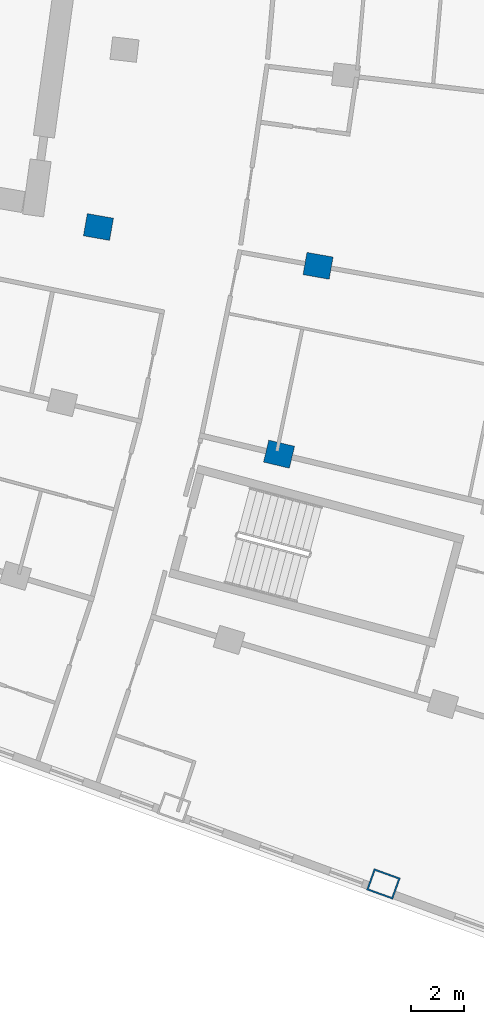
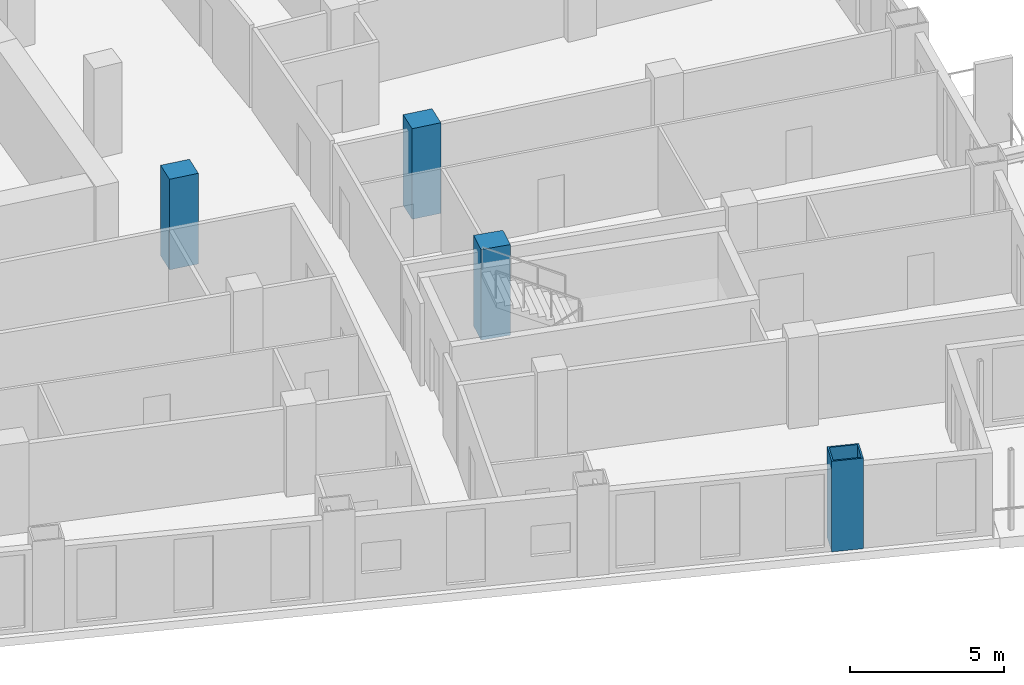
# One storey, part 4 of 25: 4 columns.
"""IFC4 building model written with IfcOpenShell, lengths in metres."""

from ifc_helpers import new_model, si_unit, direction, frame, origin, origin_2d, place, context, subcontext, project, spatial, rectangle, hollow_rectangle, extrude, material, material_profile, profile_set, type_object, element, save


model = new_model("IFC4")

# Units and contexts
model_context = context("Model", 3, precision=1e-05, world=origin(), true_north=direction((0.0, 1.0)))
body_context = subcontext(model_context, "Body", "Model", "MODEL_VIEW")
ifc_project = project(units=[si_unit("LENGTHUNIT", "METRE"), si_unit("AREAUNIT", "SQUARE_METRE"), si_unit("VOLUMEUNIT", "CUBIC_METRE"), si_unit("PLANEANGLEUNIT", "RADIAN"), si_unit("MASSUNIT", "GRAM", prefix="KILO")], contexts=[model_context])

# Site, building, storey
site_placement = place(None, origin())
site = spatial("IfcSite", under=ifc_project, at=site_placement, CompositionType="ELEMENT")
building_placement = place(site_placement, origin())
building = spatial("IfcBuilding", under=site, at=building_placement, Name="Alderwake Tower", CompositionType="ELEMENT")
storey_placement = place(building_placement, frame((0.0, 0.0, 107.60009765625)))
storey = spatial("IfcBuildingStorey", under=building, at=storey_placement, Name="L26", CompositionType="ELEMENT", Elevation=107.60009765625)

# Columns
ifc_material_1 = material(Name="Steel ASTM A572 Grade 50 concrete filled C70/85", Category="concrete")
ifc_material_profile_1 = material_profile(ifc_material_1, hollow_rectangle(XDim=0.85009765625, YDim=1.050048828125, WallThickness=0.06005859375, at=origin_2d()), Name="BOX 1050X850X60")
ifc_profile_set_1 = profile_set([ifc_material_profile_1], Name="Steel ASTM A572 Grade 50 concrete filled C70/85")
column_type_1 = type_object("IfcColumnType", Name="End column Z2", PredefinedType="COLUMN", material=ifc_profile_set_1)
column_placement = place(storey_placement, frame((44.765380859375, 16.095703125, 0.0), z_axis=(0.0, 0.0, 1.0), x_axis=(0.338644316206, 0.940914463223, 0.0)))
element("IfcColumn", 1, at=column_placement, inside=storey, type_object=column_type_1, Name="Column R01-C4", PredefinedType="COLUMN", context=body_context, shape_type="SweptSolid", body=[
    extrude(hollow_rectangle(XDim=0.85009765625, YDim=1.050048828125, WallThickness=0.06005859375, at=origin_2d()), origin(), (0.0, 0.0, 1.0), 3.599853515625),
])
ifc_material_2 = material(Name="Concrete C70/85", Category="concrete")
ifc_material_profile_2 = material_profile(ifc_material_2, rectangle(XDim=0.85009765625, YDim=1.0, at=origin_2d()), Name="RC 1000X850")
ifc_profile_set_2 = profile_set([ifc_material_profile_2], Name="Concrete C70/85")
column_type_2 = type_object("IfcColumnType", Name="Interior column Z2", PredefinedType="COLUMN", material=ifc_profile_set_2)
for number, where, z_axis, x_axis, name in (
    (2, (40.834228515625, 32.2822265625, 0.0), (0.0, 0.0, 1.0), (0.231221547198, 0.972901123502, 0.0), "Column R03-C3"),
    (3, (34.03125, 40.83837890625, 0.0), (0.0, 0.0, 1.0), (0.174108800747, 0.984726421654, 0.0), "Column R04-C2"),
    (4, (42.302978515625, 39.375732421875, 0.0), (0.0, 0.0, 1.0), (0.174108800747, 0.984726421654, 0.0), "Column R04-C3"),
):
    element("IfcColumn", number, at=place(storey_placement, frame(where, z_axis=z_axis, x_axis=x_axis)), inside=storey, type_object=column_type_2, Name=name, PredefinedType="COLUMN", context=body_context, shape_type="SweptSolid", body=[
        extrude(rectangle(XDim=0.85009765625, YDim=1.0, at=origin_2d()), origin(), (0.0, 0.0, 1.0), 3.599853515625),
    ])

save(model, "model.ifc")
